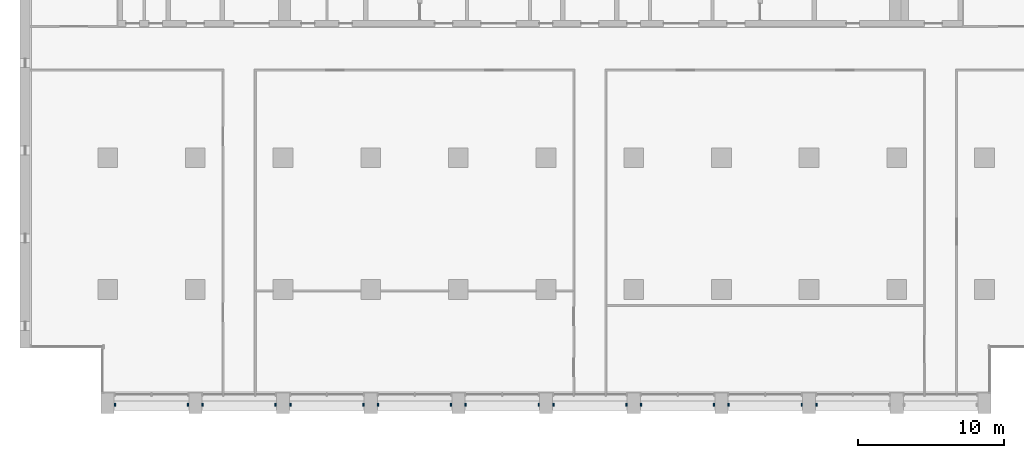
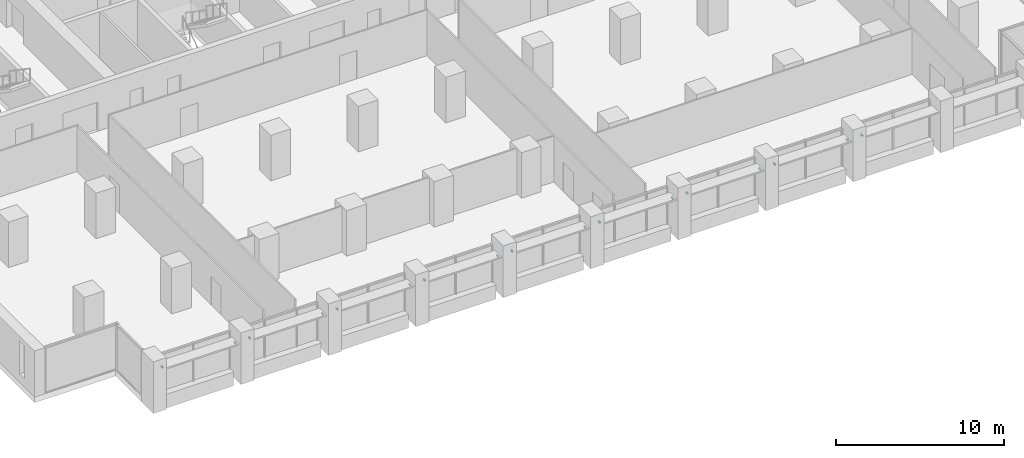
# One storey, part 13 of 15: 17 discrete accessories.
"""IFC4 building model written with IfcOpenShell, lengths in metres."""

from ifc_helpers import new_model, si_unit, direction, frame, origin, origin_2d, place, context, subcontext, project, spatial, rectangle, extrude, element, save


model = new_model("IFC4")

# Units and contexts
model_context = context("Model", 3, precision=1e-05, world=origin(), true_north=direction((0.0, 1.0)))
body_context = subcontext(model_context, "Body", "Model", "MODEL_VIEW")
ifc_project = project(units=[si_unit("LENGTHUNIT", "METRE"), si_unit("AREAUNIT", "SQUARE_METRE"), si_unit("VOLUMEUNIT", "CUBIC_METRE"), si_unit("PLANEANGLEUNIT", "RADIAN"), si_unit("MASSUNIT", "GRAM", prefix="KILO")], contexts=[model_context])

# Site, building, storey
site_placement = place(None, origin())
site = spatial("IfcSite", under=ifc_project, at=site_placement, CompositionType="ELEMENT")
building_placement = place(site_placement, origin())
building = spatial("IfcBuilding", under=site, at=building_placement, Name="Calvaro Tower", CompositionType="ELEMENT")
storey_placement = place(building_placement, frame((0.0, 0.0, 113.75)))
storey = spatial("IfcBuildingStorey", under=building, at=storey_placement, Name="L28", CompositionType="ELEMENT", Elevation=113.75)

# Discrete accessories
for number, where, z_axis, x_axis, name in (
    (1, (6.5, 2.10009765625, 2.25), (0.0, 0.0, 1.0), (1.0, 0.0, 0.0), "Brise-soleil bracket"),
    (2, (11.5, 2.10009765625, 2.25), (0.0, 0.0, 1.0), (1.0, 0.0, 0.0), "Brise-soleil bracket"),
    (3, (12.5, 2.10009765625, 2.25), (0.0, 0.0, 1.0), (1.0, 0.0, 0.0), "Brise-soleil bracket"),
    (4, (17.5, 2.10009765625, 2.25), (0.0, 0.0, 1.0), (1.0, 0.0, 0.0), "Brise-soleil bracket"),
    (5, (18.5, 2.10009765625, 2.25), (0.0, 0.0, 1.0), (1.0, 0.0, 0.0), "Brise-soleil bracket"),
    (6, (23.5, 2.10009765625, 2.25), (0.0, 0.0, 1.0), (1.0, 0.0, 0.0), "Brise-soleil bracket"),
    (7, (24.5, 2.10009765625, 2.25), (0.0, 0.0, 1.0), (1.0, 0.0, 0.0), "Brise-soleil bracket"),
    (8, (29.5, 2.10009765625, 2.25), (0.0, 0.0, 1.0), (1.0, 0.0, 0.0), "Brise-soleil bracket"),
    (9, (30.5, 2.10009765625, 2.25), (0.0, 0.0, 1.0), (1.0, 0.0, 0.0), "Brise-soleil bracket"),
    (10, (35.5, 2.10009765625, 2.25), (0.0, 0.0, 1.0), (1.0, 0.0, 0.0), "Brise-soleil bracket"),
    (11, (36.5, 2.10009765625, 2.25), (0.0, 0.0, 1.0), (1.0, 0.0, 0.0), "Brise-soleil bracket"),
    (12, (41.5, 2.10009765625, 2.25), (0.0, 0.0, 1.0), (1.0, 0.0, 0.0), "Brise-soleil bracket"),
    (13, (42.5, 2.10009765625, 2.25), (0.0, 0.0, 1.0), (1.0, 0.0, 0.0), "Brise-soleil bracket"),
    (14, (47.5, 2.10009765625, 2.25), (0.0, 0.0, 1.0), (1.0, 0.0, 0.0), "Brise-soleil bracket"),
    (15, (48.5, 2.10009765625, 2.25), (0.0, 0.0, 1.0), (1.0, 0.0, 0.0), "Brise-soleil bracket"),
    (16, (53.5, 2.10009765625, 2.25), (0.0, 0.0, 1.0), (1.0, 0.0, 0.0), "Brise-soleil bracket"),
    (17, (54.5, 2.10009765625, 2.25), (0.0, 0.0, 1.0), (1.0, 0.0, 0.0), "Brise-soleil bracket"),
):
    element("IfcDiscreteAccessory", number, at=place(storey_placement, frame(where, z_axis=z_axis, x_axis=x_axis)), inside=storey, Name=name, PredefinedType="BRACKET", context=body_context, shape_type="SweptSolid", body=[
        extrude(rectangle(XDim=0.10009765625, YDim=0.199951171875, at=origin_2d()), origin(), (0.0, 0.0, 1.0), 0.10009765625),
    ])

save(model, "model.ifc")
